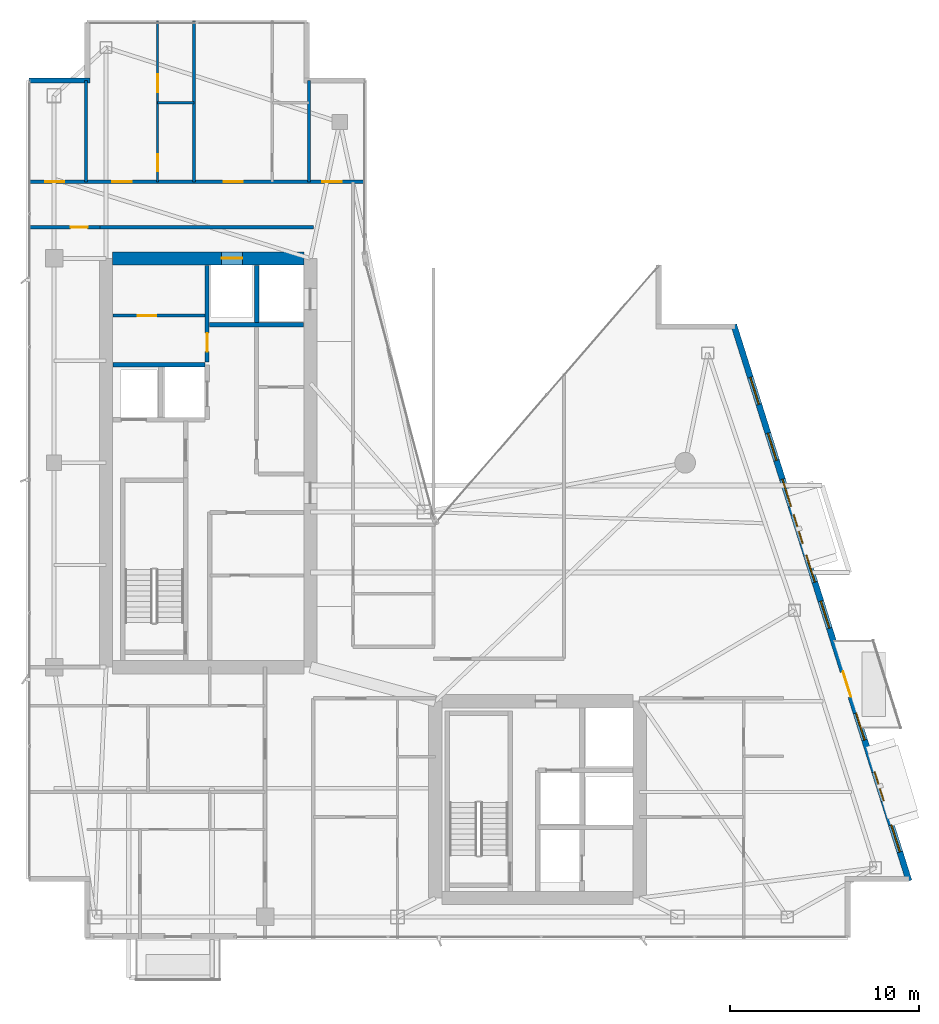
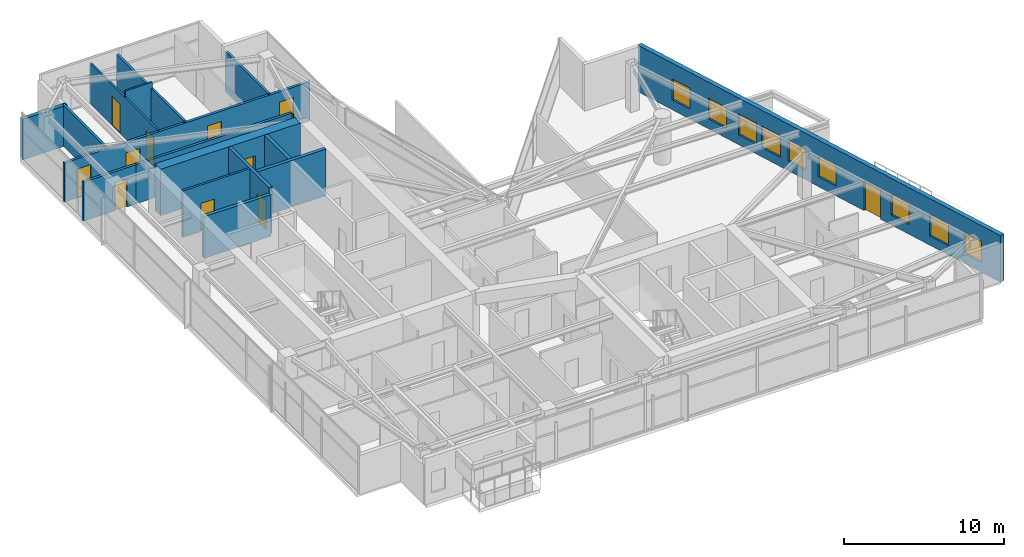
# One storey, part 26 of 29: 16 walls, 11 doors, 9 windows, 20 openings.
"""IFC4 building model written with IfcOpenShell, lengths in metres."""

from ifc_helpers import new_model, si_unit, direction, frame, frame_2d, origin, place, context, subcontext, project, spatial, rectangle, extrude, material, layer, layer_set, type_object, element, fill, save


model = new_model("IFC4")

# Units and contexts
model_context = context("Model", 3, precision=1e-05, world=origin(), true_north=direction((0.0, 1.0)))
body_context = subcontext(model_context, "Body", "Model", "MODEL_VIEW")
ifc_project = project(units=[si_unit("LENGTHUNIT", "METRE"), si_unit("AREAUNIT", "SQUARE_METRE"), si_unit("VOLUMEUNIT", "CUBIC_METRE"), si_unit("PLANEANGLEUNIT", "RADIAN"), si_unit("MASSUNIT", "GRAM", prefix="KILO")], contexts=[model_context])

# Site, building, storey
site_placement = place(None, origin())
site = spatial("IfcSite", under=ifc_project, at=site_placement, CompositionType="ELEMENT")
building_placement = place(site_placement, origin())
building = spatial("IfcBuilding", under=site, at=building_placement, Name="Calvorn Quay Hotel", CompositionType="ELEMENT")
storey_placement = place(building_placement, frame((0.0, 0.0, 251.39990234375)))
storey = spatial("IfcBuildingStorey", under=building, at=storey_placement, Name="L62", CompositionType="ELEMENT", Elevation=251.39990234375)

# Wall, opening, door
ifc_material_1 = material(Name="Concrete C45", Category="concrete")
ifc_layer_1 = layer(ifc_material_1, 0.699951171875)
ifc_layer_set_1 = layer_set([ifc_layer_1], Name="WL-CORE-700")
wall_type_1 = type_object("IfcWallType", Name="WL-CORE-700", PredefinedType="SHEAR", material=ifc_layer_set_1)
wall_1_placement = place(storey_placement, frame((4.550048828125, 38.39990234375, 0.0), z_axis=(0.0, 0.0, 1.0), x_axis=(1.0, 0.0, 0.0)))
wall_1 = element("IfcWall", 1, at=wall_1_placement, inside=storey, type_object=wall_type_1, Name="West Core Shear Wall N (L62)", PredefinedType="SHEAR", context=body_context, shape_type="SweptSolid", body=[
    extrude(rectangle(XDim=10.099853515625, YDim=0.699951171875, at=frame_2d((5.0498046875, 0.0))), origin(), (0.0, 0.0, 1.0), 3.56005859375),
])
opening_1_placement = place(wall_1_placement, frame((5.75, 0.0, 0.0)))
opening_1 = element("IfcOpeningElement", 2, at=opening_1_placement, cuts=wall_1, Name="Opening LD-L62-H2", PredefinedType="OPENING", context=body_context, shape_type="SweptSolid", body=[
    extrude(rectangle(XDim=1.10009765625, YDim=2.199951171875, at=frame_2d((0.550048828125, 1.10009765625))), frame((0.0, 0.35986328125, 0.0), z_axis=(0.0, -1.0, 0.0), x_axis=(1.0, 0.0, 0.0)), (0.0, 0.0, 1.0), 0.719970703125),
])
ifc_material_2 = material(Name="Brushed Stainless Steel Sliding Lift Landing Door", Category="steel")
door_type_1 = type_object("IfcDoorType", Name="DR-LIFT-PASS-1100", OperationType="NOTDEFINED", PredefinedType="DOOR", material=ifc_material_2)
door_1_placement = place(opening_1_placement, origin())
door_1 = element("IfcDoor", 3, at=door_1_placement, inside=storey, type_object=door_type_1, Name="High-Rise Lift PL-H2 Landing Door (L62)", OperationType="DOUBLE_DOOR_SLIDING", OverallHeight=2.199951171875, OverallWidth=1.10009765625, PredefinedType="DOOR", context=body_context, shape_type="SweptSolid", body=[
    extrude(rectangle(XDim=1.10009765625, YDim=2.199951171875, at=frame_2d((0.550048828125, 1.10009765625))), frame((0.0, 0.02490234375, 0.0), z_axis=(0.0, -1.0, 0.0), x_axis=(1.0, 0.0, 0.0)), (0.0, 0.0, 1.0), 0.050048828125),
])
fill(opening_1, door_1)

ifc_material_3 = material(Name="Acoustic Fireboard Steel-Stud Partition", Category="steel")
ifc_layer_2 = layer(ifc_material_3, 0.179931640625)
ifc_layer_set_2 = layer_set([ifc_layer_2], Name="WL-CORR-FIRE-180")
wall_type_2 = type_object("IfcWallType", Name="WL-CORR-FIRE-180", PredefinedType="PARTITIONING", material=ifc_layer_set_2)
wall_2_placement = place(storey_placement, frame((0.080078125, 40.050048828125, 0.0), z_axis=(0.0, 0.0, 1.0), x_axis=(1.0, 0.0, 0.0)))
wall_2 = element("IfcWall", 4, at=wall_2_placement, inside=storey, type_object=wall_type_2, Name="Partition Wall L62-WL-WBAY-N-DOOR", PredefinedType="PARTITIONING", context=body_context, shape_type="SweptSolid", body=[
    extrude(rectangle(XDim=3.7998046875, YDim=0.179931640625, at=frame_2d((1.89990234375, 0.0))), origin(), (0.0, 0.0, 1.0), 2.989990234375),
])
opening_2_placement = place(wall_2_placement, frame((2.25, 0.0, 0.0)))
opening_2 = element("IfcOpeningElement", 5, at=opening_2_placement, cuts=wall_2, Name="Opening D-L62-WBN", PredefinedType="OPENING", context=body_context, shape_type="SweptSolid", body=[
    extrude(rectangle(XDim=0.89990234375, YDim=2.14990234375, at=frame_2d((0.449951171875, 1.074951171875))), frame((0.0, 0.099853515625, 0.0), z_axis=(0.0, -1.0, 0.0), x_axis=(1.0, 0.0, 0.0)), (0.0, 0.0, 1.0), 0.199951171875),
])
ifc_material_4 = material(Name="Moisture-Sealed Timber En-Suite Door", Category="wood")
door_type_2 = type_object("IfcDoorType", Name="DR-ENSUITE-900", OperationType="NOTDEFINED", PredefinedType="DOOR", material=ifc_material_4)
door_2_placement = place(opening_2_placement, origin())
door_2 = element("IfcDoor", 6, at=door_2_placement, inside=storey, type_object=door_type_2, Name="West North Bay Door (L62)", OperationType="SINGLE_SWING_LEFT", OverallHeight=2.14990234375, OverallWidth=0.89990234375, PredefinedType="DOOR", context=body_context, shape_type="SweptSolid", body=[
    extrude(rectangle(XDim=0.89990234375, YDim=2.14990234375, at=frame_2d((0.449951171875, 1.074951171875))), frame((0.0, 0.02490234375, 0.0), z_axis=(0.0, -1.0, 0.0), x_axis=(1.0, 0.0, 0.0)), (0.0, 0.0, 1.0), 0.050048828125),
])
fill(opening_2, door_2)

# Wall, openings, doors
wall_3_placement = place(storey_placement, frame((0.080078125, 42.449951171875, 0.0), z_axis=(0.0, 0.0, 1.0), x_axis=(1.0, 0.0, 0.0)))
wall_3 = element("IfcWall", 7, at=wall_3_placement, inside=storey, type_object=wall_type_2, Name="Partition Wall L62-WL-CORR-NW-N", PredefinedType="PARTITIONING", context=body_context, shape_type="SweptSolid", body=[
    extrude(rectangle(XDim=17.77001953125, YDim=0.179931640625, at=frame_2d((8.885009765625, 0.0))), origin(), (0.0, 0.0, 1.0), 2.989990234375),
])
opening_3_placement = place(wall_3_placement, frame((0.89990234375, 0.0, 0.0)))
opening_3 = element("IfcOpeningElement", 8, at=opening_3_placement, cuts=wall_3, Name="Opening D-L62-NWW", PredefinedType="OPENING", context=body_context, shape_type="SweptSolid", body=[
    extrude(rectangle(XDim=1.02001953125, YDim=2.199951171875, at=frame_2d((0.510009765625, 1.10009765625))), frame((0.0, 0.099853515625, 0.0), z_axis=(0.0, -1.0, 0.0), x_axis=(1.0, 0.0, 0.0)), (0.0, 0.0, 1.0), 0.199951171875),
])
opening_4_placement = place(wall_3_placement, frame((4.449951171875, 0.0, 0.0)))
opening_4 = element("IfcOpeningElement", 9, at=opening_4_placement, cuts=wall_3, Name="Opening D-L62-U04", PredefinedType="OPENING", context=body_context, shape_type="SweptSolid", body=[
    extrude(rectangle(XDim=1.02001953125, YDim=2.199951171875, at=frame_2d((0.510009765625, 1.10009765625))), frame((0.0, 0.099853515625, 0.0), z_axis=(0.0, -1.0, 0.0), x_axis=(1.0, 0.0, 0.0)), (0.0, 0.0, 1.0), 0.199951171875),
])
opening_5_placement = place(wall_3_placement, frame((10.330078125, 0.0, 0.0)))
opening_5 = element("IfcOpeningElement", 10, at=opening_5_placement, cuts=wall_3, Name="Opening D-L62-U05", PredefinedType="OPENING", context=body_context, shape_type="SweptSolid", body=[
    extrude(rectangle(XDim=1.02001953125, YDim=2.199951171875, at=frame_2d((0.510009765625, 1.10009765625))), frame((0.0, 0.099853515625, 0.0), z_axis=(0.0, -1.0, 0.0), x_axis=(1.0, 0.0, 0.0)), (0.0, 0.0, 1.0), 0.199951171875),
])
opening_6_placement = place(wall_3_placement, frame((15.550048828125, 0.0, 0.0)))
opening_6 = element("IfcOpeningElement", 11, at=opening_6_placement, cuts=wall_3, Name="Opening D-L62-NWE", PredefinedType="OPENING", context=body_context, shape_type="SweptSolid", body=[
    extrude(rectangle(XDim=1.02001953125, YDim=2.199951171875, at=frame_2d((0.510009765625, 1.10009765625))), frame((0.0, 0.099853515625, 0.0), z_axis=(0.0, -1.0, 0.0), x_axis=(1.0, 0.0, 0.0)), (0.0, 0.0, 1.0), 0.199951171875),
])
ifc_material_5 = material(Name="Solid-Core Walnut Veneer Hotel Fire Door")
door_type_3 = type_object("IfcDoorType", Name="DR-GUEST-ENTRY-1020", OperationType="NOTDEFINED", PredefinedType="DOOR", material=ifc_material_5)
door_3_placement = place(opening_3_placement, origin())
door_3 = element("IfcDoor", 12, at=door_3_placement, inside=storey, type_object=door_type_3, Name="West Corner Study Door (L62)", OperationType="SINGLE_SWING_LEFT", OverallHeight=2.199951171875, OverallWidth=1.02001953125, PredefinedType="DOOR", context=body_context, shape_type="SweptSolid", body=[
    extrude(rectangle(XDim=1.02001953125, YDim=2.199951171875, at=frame_2d((0.510009765625, 1.10009765625))), frame((0.0, 0.02490234375, 0.0), z_axis=(0.0, -1.0, 0.0), x_axis=(1.0, 0.0, 0.0)), (0.0, 0.0, 1.0), 0.050048828125),
])
fill(opening_3, door_3)
door_4_placement = place(opening_4_placement, origin())
door_4 = element("IfcDoor", 13, at=door_4_placement, inside=storey, type_object=door_type_3, Name="North-West Unit Door U04 (L62)", OperationType="SINGLE_SWING_RIGHT", OverallHeight=2.199951171875, OverallWidth=1.02001953125, PredefinedType="DOOR", context=body_context, shape_type="SweptSolid", body=[
    extrude(rectangle(XDim=1.02001953125, YDim=2.199951171875, at=frame_2d((0.510009765625, 1.10009765625))), frame((0.0, 0.02490234375, 0.0), z_axis=(0.0, -1.0, 0.0), x_axis=(1.0, 0.0, 0.0)), (0.0, 0.0, 1.0), 0.050048828125),
])
fill(opening_4, door_4)
door_5_placement = place(opening_5_placement, origin())
door_5 = element("IfcDoor", 14, at=door_5_placement, inside=storey, type_object=door_type_3, Name="North-West Unit Door U05 (L62)", OperationType="SINGLE_SWING_LEFT", OverallHeight=2.199951171875, OverallWidth=1.02001953125, PredefinedType="DOOR", context=body_context, shape_type="SweptSolid", body=[
    extrude(rectangle(XDim=1.02001953125, YDim=2.199951171875, at=frame_2d((0.510009765625, 1.10009765625))), frame((0.0, 0.02490234375, 0.0), z_axis=(0.0, -1.0, 0.0), x_axis=(1.0, 0.0, 0.0)), (0.0, 0.0, 1.0), 0.050048828125),
])
fill(opening_5, door_5)
door_6_placement = place(opening_6_placement, origin())
door_6 = element("IfcDoor", 15, at=door_6_placement, inside=storey, type_object=door_type_3, Name="Inner Court Study Door (L62)", OperationType="SINGLE_SWING_RIGHT", OverallHeight=2.199951171875, OverallWidth=1.02001953125, PredefinedType="DOOR", context=body_context, shape_type="SweptSolid", body=[
    extrude(rectangle(XDim=1.02001953125, YDim=2.199951171875, at=frame_2d((0.510009765625, 1.10009765625))), frame((0.0, 0.02490234375, 0.0), z_axis=(0.0, -1.0, 0.0), x_axis=(1.0, 0.0, 0.0)), (0.0, 0.0, 1.0), 0.050048828125),
])
fill(opening_6, door_6)

# Walls
wall_4_placement = place(storey_placement, frame((3.830078125, 40.050048828125, 0.0), z_axis=(0.0, 0.0, 1.0), x_axis=(1.0, 0.0, 0.0)))
element("IfcWall", 16, at=wall_4_placement, inside=storey, type_object=wall_type_2, Name="Partition Wall L62-WL-W-SPUR-S", PredefinedType="PARTITIONING", context=body_context, shape_type="SweptSolid", body=[
    extrude(rectangle(XDim=11.31982421875, YDim=0.179931640625, at=frame_2d((5.659912109375, 0.0))), origin(), (0.0, 0.0, 1.0), 2.989990234375),
])
ifc_material_6 = material(Name="Moisture-Resistant Tile-Backed Partition")
ifc_layer_3 = layer(ifc_material_6, 0.125)
ifc_layer_set_3 = layer_set([ifc_layer_3], Name="WL-ENSUITE-125")
wall_type_3 = type_object("IfcWallType", Name="WL-ENSUITE-125", PredefinedType="PARTITIONING", material=ifc_layer_set_3)
wall_5_placement = place(storey_placement, frame((6.919921875, 46.6201171875, 0.0), z_axis=(0.0, 0.0, 1.0), x_axis=(1.0, 0.0, 0.0)))
element("IfcWall", 17, at=wall_5_placement, inside=storey, type_object=wall_type_3, Name="Partition Wall L62-WL-U04-BDV", PredefinedType="PARTITIONING", context=body_context, shape_type="SweptSolid", body=[
    extrude(rectangle(XDim=1.93017578125, YDim=0.125, at=frame_2d((0.965087890625, 0.0))), origin(), (0.0, 0.0, 1.0), 3.56005859375),
])

# Wall, openings, doors
wall_6_placement = place(storey_placement, frame((6.919921875, 42.449951171875, 0.0), z_axis=(0.0, 0.0, 1.0), x_axis=(0.0, 1.0, 0.0)))
wall_6 = element("IfcWall", 18, at=wall_6_placement, inside=storey, type_object=wall_type_3, Name="Partition Wall L62-WL-U04-BV", PredefinedType="PARTITIONING", context=body_context, shape_type="SweptSolid", body=[
    extrude(rectangle(XDim=8.489990234375, YDim=0.125, at=frame_2d((4.2451171875, 0.0))), origin(), (0.0, 0.0, 1.0), 3.090087890625),
])
opening_7_placement = place(wall_6_placement, frame((0.550048828125, 0.0, 0.0)))
opening_7 = element("IfcOpeningElement", 19, at=opening_7_placement, cuts=wall_6, Name="Opening D-L62-E04", PredefinedType="OPENING", context=body_context, shape_type="SweptSolid", body=[
    extrude(rectangle(XDim=0.89990234375, YDim=2.14990234375, at=frame_2d((0.449951171875, 1.074951171875))), frame((0.0, 0.072509765625, 0.0), z_axis=(0.0, -1.0, 0.0), x_axis=(1.0, 0.0, 0.0)), (0.0, 0.0, 1.0), 0.14501953125),
])
opening_8_placement = place(wall_6_placement, frame((4.719970703125, 0.0, 0.0)))
opening_8 = element("IfcOpeningElement", 20, at=opening_8_placement, cuts=wall_6, Name="Opening D-L62-S04", PredefinedType="OPENING", context=body_context, shape_type="SweptSolid", body=[
    extrude(rectangle(XDim=0.9599609375, YDim=2.199951171875, at=frame_2d((0.47998046875, 1.10009765625))), frame((0.0, 0.072509765625, 0.0), z_axis=(0.0, -1.0, 0.0), x_axis=(1.0, 0.0, 0.0)), (0.0, 0.0, 1.0), 0.14501953125),
])
door_7_placement = place(opening_7_placement, origin())
door_7 = element("IfcDoor", 21, at=door_7_placement, inside=storey, type_object=door_type_2, Name="En-Suite Door 04", OperationType="SINGLE_SWING_LEFT", OverallHeight=2.14990234375, OverallWidth=0.89990234375, PredefinedType="DOOR", context=body_context, shape_type="SweptSolid", body=[
    extrude(rectangle(XDim=0.89990234375, YDim=2.14990234375, at=frame_2d((0.449951171875, 1.074951171875))), frame((0.0, 0.02490234375, 0.0), z_axis=(0.0, -1.0, 0.0), x_axis=(1.0, 0.0, 0.0)), (0.0, 0.0, 1.0), 0.050048828125),
])
fill(opening_7, door_7)
ifc_material_7 = material(Name="Solid Timber Internal Suite Door", Category="wood")
door_type_4 = type_object("IfcDoorType", Name="DR-SUITE-INT-960", OperationType="NOTDEFINED", PredefinedType="DOOR", material=ifc_material_7)
door_8_placement = place(opening_8_placement, origin())
door_8 = element("IfcDoor", 22, at=door_8_placement, inside=storey, type_object=door_type_4, Name="Curated Resort Boutique Door 04", OperationType="SINGLE_SWING_RIGHT", OverallHeight=2.199951171875, OverallWidth=0.9599609375, PredefinedType="DOOR", context=body_context, shape_type="SweptSolid", body=[
    extrude(rectangle(XDim=0.9599609375, YDim=2.199951171875, at=frame_2d((0.47998046875, 1.10009765625))), frame((0.0, 0.02490234375, 0.0), z_axis=(0.0, -1.0, 0.0), x_axis=(1.0, 0.0, 0.0)), (0.0, 0.0, 1.0), 0.050048828125),
])
fill(opening_8, door_8)

# Wall
ifc_material_8 = material(Name="Concrete C40", Category="concrete")
ifc_layer_4 = layer(ifc_material_8, 0.320068359375)
ifc_layer_set_4 = layer_set([ifc_layer_4], Name="WL-EXT-SPANDREL-320")
wall_type_4 = type_object("IfcWallType", Name="WL-EXT-SPANDREL-320", PredefinedType="SOLIDWALL", material=ifc_layer_set_4)
wall_7_placement = place(storey_placement, frame((3.340087890625, 47.800048828125, 0.0), z_axis=(0.0, 0.0, 1.0), x_axis=(-1.0, 0.0, 0.0)))
element("IfcWall", 23, at=wall_7_placement, inside=storey, type_object=wall_type_4, Name="Notched Corner Spandrel L62-NW2", PredefinedType="SOLIDWALL", context=body_context, shape_type="SweptSolid", body=[
    extrude(rectangle(XDim=3.219970703125, YDim=0.280029296875, at=frame_2d((1.60986328125, 0.0))), origin(), (0.0, 0.0, 1.0), 3.090087890625),
])

# Wall, openings, door, windows
wall_8_placement = place(storey_placement, frame((46.6298828125, 5.5048828125, 0.0), z_axis=(0.0, 0.0, 1.0), x_axis=(-0.300501856448, 0.953781229775, 0.0)))
wall_8 = element("IfcWall", 24, at=wall_8_placement, inside=storey, type_object=wall_type_4, Name="East Stepped Waterfront Exterior Wall (L62)", PredefinedType="SOLIDWALL", context=body_context, shape_type="SweptSolid", body=[
    extrude(rectangle(XDim=30.814453125, YDim=0.320068359375, at=frame_2d((15.4072265625, 0.0))), origin(), (0.0, 0.0, 1.0), 3.56005859375),
])
opening_9_placement = place(wall_8_placement, frame((10.198974609375, 0.0, 0.0)))
opening_9 = element("IfcOpeningElement", 25, at=opening_9_placement, cuts=wall_8, Name="Opening DB-L62-1", PredefinedType="OPENING", context=body_context, shape_type="SweptSolid", body=[
    extrude(rectangle(XDim=1.39990234375, YDim=2.25, at=frame_2d((0.699951171875, 1.125))), frame((0.0, 0.169921875, 0.0), z_axis=(0.0, -1.0, 0.0), x_axis=(1.0, 0.0, 0.0)), (0.0, 0.0, 1.0), 0.340087890625),
])
opening_10_placement = place(wall_8_placement, frame((4.43701171875, 0.0, 0.699951171875)))
opening_10 = element("IfcOpeningElement", 26, at=opening_10_placement, cuts=wall_8, Name="Opening WHD-L62-1", PredefinedType="OPENING", context=body_context, shape_type="SweptSolid", body=[
    extrude(rectangle(XDim=1.60009765625, YDim=1.64990234375, at=frame_2d((0.800048828125, 0.824951171875))), frame((0.0, 0.169921875, 0.0), z_axis=(0.0, -1.0, 0.0), x_axis=(1.0, 0.0, 0.0)), (0.0, 0.0, 1.0), 0.340087890625),
])
opening_11_placement = place(wall_8_placement, frame((18.696044921875, 0.0, 0.699951171875)))
opening_11 = element("IfcOpeningElement", 27, at=opening_11_placement, cuts=wall_8, Name="Opening WHD-L62-2", PredefinedType="OPENING", context=body_context, shape_type="SweptSolid", body=[
    extrude(rectangle(XDim=1.60009765625, YDim=1.64990234375, at=frame_2d((0.800048828125, 0.824951171875))), frame((0.0, 0.169921875, 0.0), z_axis=(0.0, -1.0, 0.0), x_axis=(1.0, 0.0, 0.0)), (0.0, 0.0, 1.0), 0.340087890625),
])
opening_12_placement = place(wall_8_placement, frame((1.60009765625, 0.0, 0.75)))
opening_12 = element("IfcOpeningElement", 28, at=opening_12_placement, cuts=wall_8, Name="Opening WG-L62-E1", PredefinedType="OPENING", context=body_context, shape_type="SweptSolid", body=[
    extrude(rectangle(XDim=1.5, YDim=1.60009765625, at=frame_2d((0.75, 0.800048828125))), frame((0.0, 0.169921875, 0.0), z_axis=(0.0, -1.0, 0.0), x_axis=(1.0, 0.0, 0.0)), (0.0, 0.0, 1.0), 0.340087890625),
])
opening_13_placement = place(wall_8_placement, frame((7.800048828125, 0.0, 0.75)))
opening_13 = element("IfcOpeningElement", 29, at=opening_13_placement, cuts=wall_8, Name="Opening WG-L62-E2", PredefinedType="OPENING", context=body_context, shape_type="SweptSolid", body=[
    extrude(rectangle(XDim=1.5, YDim=1.60009765625, at=frame_2d((0.75, 0.800048828125))), frame((0.0, 0.169921875, 0.0), z_axis=(0.0, -1.0, 0.0), x_axis=(1.0, 0.0, 0.0)), (0.0, 0.0, 1.0), 0.340087890625),
])
opening_14_placement = place(wall_8_placement, frame((14.0, 0.0, 0.75)))
opening_14 = element("IfcOpeningElement", 30, at=opening_14_placement, cuts=wall_8, Name="Opening WG-L62-E3", PredefinedType="OPENING", context=body_context, shape_type="SweptSolid", body=[
    extrude(rectangle(XDim=1.5, YDim=1.60009765625, at=frame_2d((0.75, 0.800048828125))), frame((0.0, 0.169921875, 0.0), z_axis=(0.0, -1.0, 0.0), x_axis=(1.0, 0.0, 0.0)), (0.0, 0.0, 1.0), 0.340087890625),
])
opening_15_placement = place(wall_8_placement, frame((16.550048828125, 0.0, 0.75)))
opening_15 = element("IfcOpeningElement", 31, at=opening_15_placement, cuts=wall_8, Name="Opening WG-L62-E4", PredefinedType="OPENING", context=body_context, shape_type="SweptSolid", body=[
    extrude(rectangle(XDim=1.5, YDim=1.60009765625, at=frame_2d((0.75, 0.800048828125))), frame((0.0, 0.169921875, 0.0), z_axis=(0.0, -1.0, 0.0), x_axis=(1.0, 0.0, 0.0)), (0.0, 0.0, 1.0), 0.340087890625),
])
opening_16_placement = place(wall_8_placement, frame((20.75, 0.0, 0.75)))
opening_16 = element("IfcOpeningElement", 32, at=opening_16_placement, cuts=wall_8, Name="Opening WG-L62-E5", PredefinedType="OPENING", context=body_context, shape_type="SweptSolid", body=[
    extrude(rectangle(XDim=1.5, YDim=1.60009765625, at=frame_2d((0.75, 0.800048828125))), frame((0.0, 0.169921875, 0.0), z_axis=(0.0, -1.0, 0.0), x_axis=(1.0, 0.0, 0.0)), (0.0, 0.0, 1.0), 0.340087890625),
])
opening_17_placement = place(wall_8_placement, frame((23.300048828125, 0.0, 0.75)))
opening_17 = element("IfcOpeningElement", 33, at=opening_17_placement, cuts=wall_8, Name="Opening WG-L62-E6", PredefinedType="OPENING", context=body_context, shape_type="SweptSolid", body=[
    extrude(rectangle(XDim=1.5, YDim=1.60009765625, at=frame_2d((0.75, 0.800048828125))), frame((0.0, 0.169921875, 0.0), z_axis=(0.0, -1.0, 0.0), x_axis=(1.0, 0.0, 0.0)), (0.0, 0.0, 1.0), 0.340087890625),
])
opening_18_placement = place(wall_8_placement, frame((26.39990234375, 0.0, 0.75)))
opening_18 = element("IfcOpeningElement", 34, at=opening_18_placement, cuts=wall_8, Name="Opening WG-L62-E7", PredefinedType="OPENING", context=body_context, shape_type="SweptSolid", body=[
    extrude(rectangle(XDim=1.5, YDim=1.60009765625, at=frame_2d((0.75, 0.800048828125))), frame((0.0, 0.169921875, 0.0), z_axis=(0.0, -1.0, 0.0), x_axis=(1.0, 0.0, 0.0)), (0.0, 0.0, 1.0), 0.340087890625),
])
ifc_material_9 = material(Name="Typhoon-Rated Low-E Aluminium Terrace Door", Category="aluminium")
door_type_5 = type_object("IfcDoorType", Name="DR-BALCONY-GLZ-1400", OperationType="NOTDEFINED", PredefinedType="DOOR", material=ifc_material_9)
door_9_placement = place(opening_9_placement, origin())
door_9 = element("IfcDoor", 35, at=door_9_placement, inside=storey, type_object=door_type_5, Name="Tree Balcony Terrace Door L62-BALC-E", OperationType="SINGLE_SWING_LEFT", OverallHeight=2.25, OverallWidth=1.39990234375, PredefinedType="DOOR", context=body_context, shape_type="SweptSolid", body=[
    extrude(rectangle(XDim=1.39990234375, YDim=2.25, at=frame_2d((0.699951171875, 1.125))), frame((0.0, 0.02490234375, 0.0), z_axis=(0.0, -1.0, 0.0), x_axis=(1.0, 0.0, 0.0)), (0.0, 0.0, 1.0), 0.050048828125),
])
fill(opening_9, door_9)
ifc_material_10 = material(Name="Champagne-Bronze Aluminium Low-E Window", Category="aluminium")
window_type_1 = type_object("IfcWindowType", Name="WIN-GUEST-SIDE-1600x2100", PartitioningType="SINGLE_PANEL", PredefinedType="WINDOW", material=ifc_material_10)
window_1_placement = place(opening_10_placement, origin())
window_1 = element("IfcWindow", 36, at=window_1_placement, inside=storey, type_object=window_type_1, Name="Bay Hood Window L62-HOOD-1", OverallHeight=1.64990234375, OverallWidth=1.60009765625, PartitioningType="SINGLE_PANEL", PredefinedType="WINDOW", context=body_context, shape_type="SweptSolid", body=[
    extrude(rectangle(XDim=1.60009765625, YDim=1.64990234375, at=frame_2d((0.800048828125, 0.824951171875))), frame((0.0, 0.030029296875, 0.0), z_axis=(0.0, -1.0, 0.0), x_axis=(1.0, 0.0, 0.0)), (0.0, 0.0, 1.0), 0.06005859375),
])
fill(opening_10, window_1)
window_2_placement = place(opening_11_placement, origin())
window_2 = element("IfcWindow", 37, at=window_2_placement, inside=storey, type_object=window_type_1, Name="Bay Hood Window L62-HOOD-3", OverallHeight=1.64990234375, OverallWidth=1.60009765625, PartitioningType="SINGLE_PANEL", PredefinedType="WINDOW", context=body_context, shape_type="SweptSolid", body=[
    extrude(rectangle(XDim=1.60009765625, YDim=1.64990234375, at=frame_2d((0.800048828125, 0.824951171875))), frame((0.0, 0.030029296875, 0.0), z_axis=(0.0, -1.0, 0.0), x_axis=(1.0, 0.0, 0.0)), (0.0, 0.0, 1.0), 0.06005859375),
])
fill(opening_11, window_2)
ifc_material_11 = material(Name="Self-Closing Class B Fire Window")
window_type_2 = type_object("IfcWindowType", Name="WIN-REFUGE-1500x1600", PartitioningType="SINGLE_PANEL", PredefinedType="WINDOW", material=ifc_material_11)
window_3_placement = place(opening_12_placement, origin())
window_3 = element("IfcWindow", 38, at=window_3_placement, inside=storey, type_object=window_type_2, Name="East Facade Window L62-E1", OverallHeight=1.60009765625, OverallWidth=1.5, PartitioningType="SINGLE_PANEL", PredefinedType="WINDOW", context=body_context, shape_type="SweptSolid", body=[
    extrude(rectangle(XDim=1.5, YDim=1.60009765625, at=frame_2d((0.75, 0.800048828125))), frame((0.0, 0.030029296875, 0.0), z_axis=(0.0, -1.0, 0.0), x_axis=(1.0, 0.0, 0.0)), (0.0, 0.0, 1.0), 0.06005859375),
])
fill(opening_12, window_3)
window_4_placement = place(opening_13_placement, origin())
window_4 = element("IfcWindow", 39, at=window_4_placement, inside=storey, type_object=window_type_2, Name="East Facade Window L62-E2", OverallHeight=1.60009765625, OverallWidth=1.5, PartitioningType="SINGLE_PANEL", PredefinedType="WINDOW", context=body_context, shape_type="SweptSolid", body=[
    extrude(rectangle(XDim=1.5, YDim=1.60009765625, at=frame_2d((0.75, 0.800048828125))), frame((0.0, 0.030029296875, 0.0), z_axis=(0.0, -1.0, 0.0), x_axis=(1.0, 0.0, 0.0)), (0.0, 0.0, 1.0), 0.06005859375),
])
fill(opening_13, window_4)
window_5_placement = place(opening_14_placement, origin())
window_5 = element("IfcWindow", 40, at=window_5_placement, inside=storey, type_object=window_type_2, Name="East Facade Window L62-E3", OverallHeight=1.60009765625, OverallWidth=1.5, PartitioningType="SINGLE_PANEL", PredefinedType="WINDOW", context=body_context, shape_type="SweptSolid", body=[
    extrude(rectangle(XDim=1.5, YDim=1.60009765625, at=frame_2d((0.75, 0.800048828125))), frame((0.0, 0.030029296875, 0.0), z_axis=(0.0, -1.0, 0.0), x_axis=(1.0, 0.0, 0.0)), (0.0, 0.0, 1.0), 0.06005859375),
])
fill(opening_14, window_5)
window_6_placement = place(opening_15_placement, origin())
window_6 = element("IfcWindow", 41, at=window_6_placement, inside=storey, type_object=window_type_2, Name="East Facade Window L62-E4", OverallHeight=1.60009765625, OverallWidth=1.5, PartitioningType="SINGLE_PANEL", PredefinedType="WINDOW", context=body_context, shape_type="SweptSolid", body=[
    extrude(rectangle(XDim=1.5, YDim=1.60009765625, at=frame_2d((0.75, 0.800048828125))), frame((0.0, 0.030029296875, 0.0), z_axis=(0.0, -1.0, 0.0), x_axis=(1.0, 0.0, 0.0)), (0.0, 0.0, 1.0), 0.06005859375),
])
fill(opening_15, window_6)
window_7_placement = place(opening_16_placement, origin())
window_7 = element("IfcWindow", 42, at=window_7_placement, inside=storey, type_object=window_type_2, Name="East Facade Window L62-E5", OverallHeight=1.60009765625, OverallWidth=1.5, PartitioningType="SINGLE_PANEL", PredefinedType="WINDOW", context=body_context, shape_type="SweptSolid", body=[
    extrude(rectangle(XDim=1.5, YDim=1.60009765625, at=frame_2d((0.75, 0.800048828125))), frame((0.0, 0.030029296875, 0.0), z_axis=(0.0, -1.0, 0.0), x_axis=(1.0, 0.0, 0.0)), (0.0, 0.0, 1.0), 0.06005859375),
])
fill(opening_16, window_7)
window_8_placement = place(opening_17_placement, origin())
window_8 = element("IfcWindow", 43, at=window_8_placement, inside=storey, type_object=window_type_2, Name="East Facade Window L62-E6", OverallHeight=1.60009765625, OverallWidth=1.5, PartitioningType="SINGLE_PANEL", PredefinedType="WINDOW", context=body_context, shape_type="SweptSolid", body=[
    extrude(rectangle(XDim=1.5, YDim=1.60009765625, at=frame_2d((0.75, 0.800048828125))), frame((0.0, 0.030029296875, 0.0), z_axis=(0.0, -1.0, 0.0), x_axis=(1.0, 0.0, 0.0)), (0.0, 0.0, 1.0), 0.06005859375),
])
fill(opening_17, window_8)
window_9_placement = place(opening_18_placement, origin())
window_9 = element("IfcWindow", 44, at=window_9_placement, inside=storey, type_object=window_type_2, Name="East Facade Window L62-E7", OverallHeight=1.60009765625, OverallWidth=1.5, PartitioningType="SINGLE_PANEL", PredefinedType="WINDOW", context=body_context, shape_type="SweptSolid", body=[
    extrude(rectangle(XDim=1.5, YDim=1.60009765625, at=frame_2d((0.75, 0.800048828125))), frame((0.0, 0.030029296875, 0.0), z_axis=(0.0, -1.0, 0.0), x_axis=(1.0, 0.0, 0.0)), (0.0, 0.0, 1.0), 0.06005859375),
])
fill(opening_18, window_9)

# Wall, opening, door
ifc_material_12 = material(Name="Double-Stud Acoustic Gypsum Partition")
ifc_layer_5 = layer(ifc_material_12, 0.159912109375)
ifc_layer_set_5 = layer_set([ifc_layer_5], Name="WL-INTERSUITE-160")
wall_type_5 = type_object("IfcWallType", Name="WL-INTERSUITE-160", PredefinedType="PARTITIONING", material=ifc_layer_set_5)
wall_9_placement = place(storey_placement, frame((4.570068359375, 35.3798828125, 0.0), z_axis=(0.0, 0.0, 1.0), x_axis=(1.0, 0.0, 0.0)))
wall_9 = element("IfcWall", 45, at=wall_9_placement, inside=storey, type_object=wall_type_5, Name="Partition Wall L62-WL-CWW-K-MID", PredefinedType="PARTITIONING", context=body_context, shape_type="SweptSolid", body=[
    extrude(rectangle(XDim=4.849853515625, YDim=0.159912109375, at=frame_2d((2.4248046875, 0.0))), origin(), (0.0, 0.0, 1.0), 3.56005859375),
])
opening_19_placement = place(wall_9_placement, frame((1.300048828125, 0.0, 0.0)))
opening_19 = element("IfcOpeningElement", 46, at=opening_19_placement, cuts=wall_9, Name="Opening D-L62-CK2", PredefinedType="OPENING", context=body_context, shape_type="SweptSolid", body=[
    extrude(rectangle(XDim=0.97998046875, YDim=2.14990234375, at=frame_2d((0.489990234375, 1.074951171875))), frame((0.0, 0.08984375, 0.0), z_axis=(0.0, -1.0, 0.0), x_axis=(1.0, 0.0, 0.0)), (0.0, 0.0, 1.0), 0.179931640625),
])
ifc_material_13 = material(Name="Painted Steel Housekeeping/Riser Fire Door", Category="steel")
door_type_6 = type_object("IfcDoorType", Name="DR-SERVICE-980", OperationType="NOTDEFINED", PredefinedType="DOOR", material=ifc_material_13)
door_10_placement = place(opening_19_placement, origin())
door_10 = element("IfcDoor", 47, at=door_10_placement, inside=storey, type_object=door_type_6, Name="Electrical Riser Door (L62)", OperationType="SINGLE_SWING_RIGHT", OverallHeight=2.14990234375, OverallWidth=0.97998046875, PredefinedType="DOOR", context=body_context, shape_type="SweptSolid", body=[
    extrude(rectangle(XDim=0.97998046875, YDim=2.14990234375, at=frame_2d((0.489990234375, 1.074951171875))), frame((0.0, 0.02490234375, 0.0), z_axis=(0.0, -1.0, 0.0), x_axis=(1.0, 0.0, 0.0)), (0.0, 0.0, 1.0), 0.050048828125),
])
fill(opening_19, door_10)

# Walls
wall_10_placement = place(storey_placement, frame((3.14990234375, 42.449951171875, 0.0), z_axis=(0.0, 0.0, 1.0), x_axis=(0.0, 1.0, 0.0)))
element("IfcWall", 48, at=wall_10_placement, inside=storey, type_object=wall_type_5, Name="Partition Wall L62-WL-NW-DIV-W0", PredefinedType="PARTITIONING", context=body_context, shape_type="SweptSolid", body=[
    extrude(rectangle(XDim=5.35009765625, YDim=0.159912109375, at=frame_2d((2.675048828125, 0.0))), origin(), (0.0, 0.0, 1.0), 3.14013671875),
])
wall_11_placement = place(storey_placement, frame((14.919921875, 42.449951171875, 0.0), z_axis=(0.0, 0.0, 1.0), x_axis=(0.0, 1.0, 0.0)))
element("IfcWall", 49, at=wall_11_placement, inside=storey, type_object=wall_type_5, Name="Partition Wall L62-WL-NW-DIV-E0", PredefinedType="PARTITIONING", context=body_context, shape_type="SweptSolid", body=[
    extrude(rectangle(XDim=5.35009765625, YDim=0.159912109375, at=frame_2d((2.675048828125, 0.0))), origin(), (0.0, 0.0, 1.0), 3.090087890625),
])
wall_12_placement = place(storey_placement, frame((8.85009765625, 42.449951171875, 0.0), z_axis=(0.0, 0.0, 1.0), x_axis=(0.0, 1.0, 0.0)))
element("IfcWall", 50, at=wall_12_placement, inside=storey, type_object=wall_type_5, Name="Partition Wall L62-WL-NW-DIV-1", PredefinedType="PARTITIONING", context=body_context, shape_type="SweptSolid", body=[
    extrude(rectangle(XDim=8.489990234375, YDim=0.159912109375, at=frame_2d((4.2451171875, 0.0))), origin(), (0.0, 0.0, 1.0), 3.090087890625),
])

# Wall, opening, door
ifc_material_14 = material(Name="Autoclaved Aerated Masonry Block", Category="masonry")
ifc_layer_6 = layer(ifc_material_14, 0.219970703125)
ifc_layer_set_6 = layer_set([ifc_layer_6], Name="WL-LOBBY-FIRE-220")
wall_type_6 = type_object("IfcWallType", Name="WL-LOBBY-FIRE-220", PredefinedType="SOLIDWALL", material=ifc_layer_set_6)
wall_13_placement = place(storey_placement, frame((9.5400390625, 32.919921875, 0.0), z_axis=(0.0, 0.0, 1.0), x_axis=(0.0, 1.0, 0.0)))
wall_13 = element("IfcWall", 51, at=wall_13_placement, inside=storey, type_object=wall_type_6, Name="Partition Wall L62-WL-CWW-K-E", PredefinedType="SOLIDWALL", context=body_context, shape_type="SweptSolid", body=[
    extrude(rectangle(XDim=5.110107421875, YDim=0.219970703125, at=frame_2d((2.55517578125, 0.0))), origin(), (0.0, 0.0, 1.0), 3.56005859375),
])
opening_20_placement = place(wall_13_placement, frame((0.550048828125, 0.0, 0.0)))
opening_20 = element("IfcOpeningElement", 52, at=opening_20_placement, cuts=wall_13, Name="Opening D-L62-CK1", PredefinedType="OPENING", context=body_context, shape_type="SweptSolid", body=[
    extrude(rectangle(XDim=0.97998046875, YDim=2.14990234375, at=frame_2d((0.489990234375, 1.074951171875))), frame((0.0, 0.119873046875, 0.0), z_axis=(0.0, -1.0, 0.0), x_axis=(1.0, 0.0, 0.0)), (0.0, 0.0, 1.0), 0.239990234375),
])
door_11_placement = place(opening_20_placement, origin())
door_11 = element("IfcDoor", 53, at=door_11_placement, inside=storey, type_object=door_type_6, Name="Core Housekeeping Door (L62)", OperationType="SINGLE_SWING_LEFT", OverallHeight=2.14990234375, OverallWidth=0.97998046875, PredefinedType="DOOR", context=body_context, shape_type="SweptSolid", body=[
    extrude(rectangle(XDim=0.97998046875, YDim=2.14990234375, at=frame_2d((0.489990234375, 1.074951171875))), frame((0.0, 0.02490234375, 0.0), z_axis=(0.0, -1.0, 0.0), x_axis=(1.0, 0.0, 0.0)), (0.0, 0.0, 1.0), 0.050048828125),
])
fill(opening_20, door_11)

# Walls
ifc_material_15 = material(Name="Concrete C40", Category="concrete")
ifc_layer_7 = layer(ifc_material_15, 0.239990234375)
ifc_layer_set_7 = layer_set([ifc_layer_7], Name="WL-SHAFT-240")
wall_type_7 = type_object("IfcWallType", Name="WL-SHAFT-240", PredefinedType="SOLIDWALL", material=ifc_layer_set_7)
wall_14_placement = place(storey_placement, frame((4.570068359375, 32.780029296875, 0.0), z_axis=(0.0, 0.0, 1.0), x_axis=(1.0, 0.0, 0.0)))
element("IfcWall", 54, at=wall_14_placement, inside=storey, type_object=wall_type_7, Name="Partition Wall L62-WL-CWW-SLW-N", PredefinedType="SOLIDWALL", context=body_context, shape_type="SweptSolid", body=[
    extrude(rectangle(XDim=4.849853515625, YDim=0.239990234375, at=frame_2d((2.4248046875, 0.0))), origin(), (0.0, 0.0, 1.0), 3.190185546875),
])
wall_15_placement = place(storey_placement, frame((9.659912109375, 34.89990234375, 0.0), z_axis=(0.0, 0.0, 1.0), x_axis=(1.0, 0.0, 0.0)))
element("IfcWall", 55, at=wall_15_placement, inside=storey, type_object=wall_type_7, Name="Partition Wall L62-WL-CWW-PLH-S", PredefinedType="SOLIDWALL", context=body_context, shape_type="SweptSolid", body=[
    extrude(rectangle(XDim=4.969970703125, YDim=0.239990234375, at=frame_2d((2.48486328125, 0.0))), origin(), (0.0, 0.0, 1.0), 3.56005859375),
])
wall_16_placement = place(storey_placement, frame((12.14990234375, 35.02001953125, 0.0), z_axis=(0.0, 0.0, 1.0), x_axis=(0.0, 1.0, 0.0)))
element("IfcWall", 56, at=wall_16_placement, inside=storey, type_object=wall_type_7, Name="Partition Wall L62-WL-CWW-PLH-DIV", PredefinedType="SOLIDWALL", context=body_context, shape_type="SweptSolid", body=[
    extrude(rectangle(XDim=3.010009765625, YDim=0.239990234375, at=frame_2d((1.5048828125, 0.0))), origin(), (0.0, 0.0, 1.0), 3.56005859375),
])

save(model, "model.ifc")
